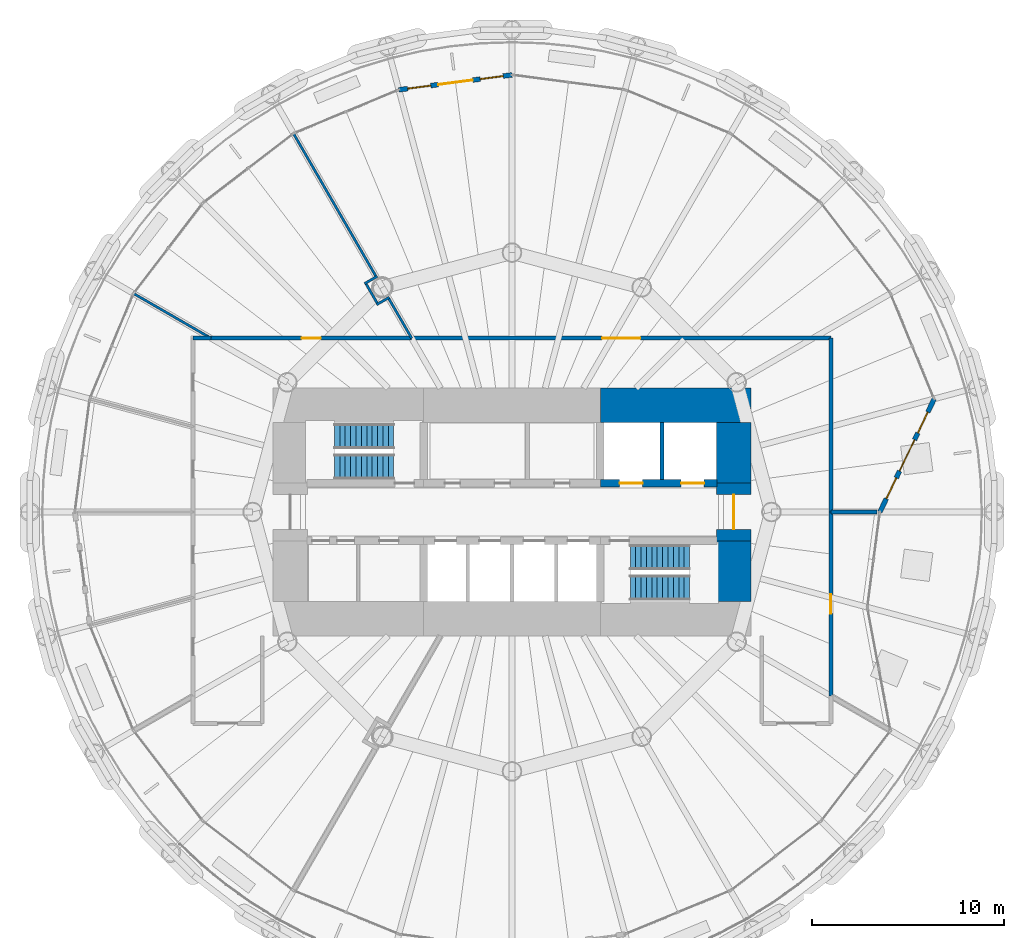
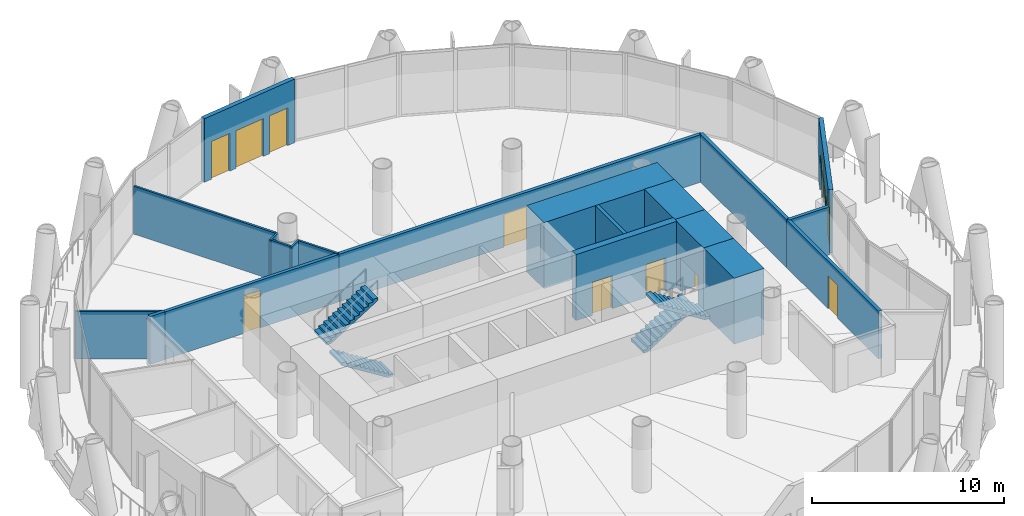
# One storey, part 11 of 15: 20 walls, 8 doors, 4 stair flights, 4 windows, 12 openings, 2 elements without a shape of their own.
"""IFC4 building model written with IfcOpenShell, lengths in metres."""

from ifc_helpers import new_model, si_unit, direction, frame, frame_2d, origin, place, context, subcontext, project, spatial, polyline, rectangle, outline, extrude, material, layer, layer_set, type_object, element, fill, aggregate, save


model = new_model("IFC4")

# Units and contexts
model_context = context("Model", 3, precision=1e-05, world=origin(), true_north=direction((0.0, 1.0)))
body_context = subcontext(model_context, "Body", "Model", "MODEL_VIEW")
ifc_project = project(units=[si_unit("LENGTHUNIT", "METRE"), si_unit("AREAUNIT", "SQUARE_METRE"), si_unit("VOLUMEUNIT", "CUBIC_METRE"), si_unit("PLANEANGLEUNIT", "RADIAN"), si_unit("MASSUNIT", "GRAM", prefix="KILO")], contexts=[model_context])

# Site, building, storey
site_placement = place(None, origin())
site = spatial("IfcSite", under=ifc_project, at=site_placement, CompositionType="ELEMENT")
building_placement = place(site_placement, origin())
building = spatial("IfcBuilding", under=site, at=building_placement, Name="Qaws Media Tower", CompositionType="ELEMENT")
storey_placement = place(building_placement, frame((0.0, 0.0, 122.60009765625)))
storey = spatial("IfcBuildingStorey", under=building, at=storey_placement, Name="L27", CompositionType="ELEMENT", Elevation=122.60009765625)

# Wall, openings, door, windows
ifc_material_1 = material(Name="Precast concrete, exposed finish", Category="concrete")
ifc_layer_1 = layer(ifc_material_1, 0.25)
ifc_layer_set_1 = layer_set([ifc_layer_1], Name="Balcony door wall 250")
wall_type_1 = type_object("IfcWallType", Name="Balcony door wall 250", PredefinedType="SOLIDWALL", material=ifc_layer_set_1)
wall_1_placement = place(storey_placement, frame((79.14990234375, 50.0, 0.0), z_axis=(0.0, 0.0, 1.0), x_axis=(0.432559700363, 0.901605293697, 0.0)))
wall_1 = element("IfcWall", 1, at=wall_1_placement, inside=storey, type_object=wall_type_1, Name="W181 EW1 balcony door wall L27-01", PredefinedType="SOLIDWALL", context=body_context, shape_type="SweptSolid", body=[
    extrude(rectangle(XDim=6.53076171875, YDim=0.25, at=frame_2d((3.265380859375, 0.0))), origin(), (0.0, 0.0, 1.0), 4.039794921875),
])
opening_1_placement = place(wall_1_placement, frame((2.365234375, 0.0, 0.0)))
opening_1 = element("IfcOpeningElement", 2, at=opening_1_placement, cuts=wall_1, Name="Opening D7", PredefinedType="OPENING", context=body_context, shape_type="SweptSolid", body=[
    extrude(rectangle(XDim=1.800048828125, YDim=2.39990234375, at=frame_2d((0.89990234375, 1.199951171875))), frame((0.0, 0.135009765625, 0.0), z_axis=(0.0, -1.0, 0.0), x_axis=(1.0, 0.0, 0.0)), (0.0, 0.0, 1.0), 0.27001953125),
])
opening_2_placement = place(wall_1_placement, frame((0.765380859375, 0.0, 0.0)))
opening_2 = element("IfcOpeningElement", 3, at=opening_2_placement, cuts=wall_1, Name="Opening W1", PredefinedType="OPENING", context=body_context, shape_type="SweptSolid", body=[
    extrude(rectangle(XDim=1.199951171875, YDim=2.39990234375, at=frame_2d((0.60009765625, 1.199951171875))), frame((0.0, 0.135009765625, 0.0), z_axis=(0.0, -1.0, 0.0), x_axis=(1.0, 0.0, 0.0)), (0.0, 0.0, 1.0), 0.27001953125),
])
opening_3_placement = place(wall_1_placement, frame((4.5654296875, 0.0, 0.0)))
opening_3 = element("IfcOpeningElement", 4, at=opening_3_placement, cuts=wall_1, Name="Opening W1", PredefinedType="OPENING", context=body_context, shape_type="SweptSolid", body=[
    extrude(rectangle(XDim=1.199951171875, YDim=2.39990234375, at=frame_2d((0.60009765625, 1.199951171875))), frame((0.0, 0.135009765625, 0.0), z_axis=(0.0, -1.0, 0.0), x_axis=(1.0, 0.0, 0.0)), (0.0, 0.0, 1.0), 0.27001953125),
])
ifc_material_2 = material(Name="Aluminium and clear glass", Category="aluminium")
door_type_1 = type_object("IfcDoorType", Name="Balcony door pair 1800", OperationType="DOUBLE_DOOR_SLIDING", PredefinedType="DOOR", material=ifc_material_2)
door_1_placement = place(opening_1_placement, origin())
door_1 = element("IfcDoor", 5, at=door_1_placement, inside=storey, type_object=door_type_1, Name="D7 balcony door L27-01 in wall W181", OperationType="DOUBLE_DOOR_SLIDING", OverallHeight=2.39990234375, OverallWidth=1.800048828125, PredefinedType="DOOR", context=body_context, shape_type="SweptSolid", body=[
    extrude(rectangle(XDim=1.800048828125, YDim=2.39990234375, at=frame_2d((0.89990234375, 1.199951171875))), frame((0.0, 0.02490234375, 0.0), z_axis=(0.0, -1.0, 0.0), x_axis=(1.0, 0.0, 0.0)), (0.0, 0.0, 1.0), 0.050048828125),
])
fill(opening_1, door_1)
ifc_material_3 = material(Name="Aluminium and clear glass", Category="aluminium")
window_type = type_object("IfcWindowType", Name="Balcony side window 1200", PartitioningType="SINGLE_PANEL", PredefinedType="WINDOW", material=ifc_material_3)
window_1_placement = place(opening_2_placement, origin())
window_1 = element("IfcWindow", 6, at=window_1_placement, inside=storey, type_object=window_type, Name="W1 balcony side light L27-01L", OverallHeight=2.39990234375, OverallWidth=1.199951171875, PartitioningType="SINGLE_PANEL", PredefinedType="WINDOW", context=body_context, shape_type="SweptSolid", body=[
    extrude(rectangle(XDim=1.199951171875, YDim=2.39990234375, at=frame_2d((0.60009765625, 1.199951171875))), frame((0.0, 0.030029296875, 0.0), z_axis=(0.0, -1.0, 0.0), x_axis=(1.0, 0.0, 0.0)), (0.0, 0.0, 1.0), 0.06005859375),
])
fill(opening_2, window_1)
window_2_placement = place(opening_3_placement, origin())
window_2 = element("IfcWindow", 7, at=window_2_placement, inside=storey, type_object=window_type, Name="W1 balcony side light L27-01R", OverallHeight=2.39990234375, OverallWidth=1.199951171875, PartitioningType="SINGLE_PANEL", PredefinedType="WINDOW", context=body_context, shape_type="SweptSolid", body=[
    extrude(rectangle(XDim=1.199951171875, YDim=2.39990234375, at=frame_2d((0.60009765625, 1.199951171875))), frame((0.0, 0.030029296875, 0.0), z_axis=(0.0, -1.0, 0.0), x_axis=(1.0, 0.0, 0.0)), (0.0, 0.0, 1.0), 0.06005859375),
])
fill(opening_3, window_2)

wall_2_placement = place(storey_placement, frame((60.0, 72.75, 0.0), z_axis=(0.0, 0.0, 1.0), x_axis=(-0.991445898364, -0.130518315254, 0.0)))
wall_2 = element("IfcWall", 8, at=wall_2_placement, inside=storey, type_object=wall_type_1, Name="W180 EW1 balcony door wall L27-07", PredefinedType="SOLIDWALL", context=body_context, shape_type="SweptSolid", body=[
    extrude(rectangle(XDim=5.93896484375, YDim=0.25, at=frame_2d((2.969482421875, 0.0))), origin(), (0.0, 0.0, 1.0), 4.039794921875),
])
opening_4_placement = place(wall_2_placement, frame((2.069580078125, 0.0, 0.0)))
opening_4 = element("IfcOpeningElement", 9, at=opening_4_placement, cuts=wall_2, Name="Opening D7", PredefinedType="OPENING", context=body_context, shape_type="SweptSolid", body=[
    extrude(rectangle(XDim=1.800048828125, YDim=2.39990234375, at=frame_2d((0.89990234375, 1.199951171875))), frame((0.0, 0.135009765625, 0.0), z_axis=(0.0, -1.0, 0.0), x_axis=(1.0, 0.0, 0.0)), (0.0, 0.0, 1.0), 0.27001953125),
])
opening_5_placement = place(wall_2_placement, frame((0.469482421875, 0.0, 0.0)))
opening_5 = element("IfcOpeningElement", 10, at=opening_5_placement, cuts=wall_2, Name="Opening W1", PredefinedType="OPENING", context=body_context, shape_type="SweptSolid", body=[
    extrude(rectangle(XDim=1.199951171875, YDim=2.39990234375, at=frame_2d((0.60009765625, 1.199951171875))), frame((0.0, 0.135009765625, 0.0), z_axis=(0.0, -1.0, 0.0), x_axis=(1.0, 0.0, 0.0)), (0.0, 0.0, 1.0), 0.27001953125),
])
opening_6_placement = place(wall_2_placement, frame((4.26953125, 0.0, 0.0)))
opening_6 = element("IfcOpeningElement", 11, at=opening_6_placement, cuts=wall_2, Name="Opening W1", PredefinedType="OPENING", context=body_context, shape_type="SweptSolid", body=[
    extrude(rectangle(XDim=1.199951171875, YDim=2.39990234375, at=frame_2d((0.60009765625, 1.199951171875))), frame((0.0, 0.135009765625, 0.0), z_axis=(0.0, -1.0, 0.0), x_axis=(1.0, 0.0, 0.0)), (0.0, 0.0, 1.0), 0.27001953125),
])
door_2_placement = place(opening_4_placement, origin())
door_2 = element("IfcDoor", 12, at=door_2_placement, inside=storey, type_object=door_type_1, Name="D7 balcony door L27-07 in wall W180", OperationType="DOUBLE_DOOR_SLIDING", OverallHeight=2.39990234375, OverallWidth=1.800048828125, PredefinedType="DOOR", context=body_context, shape_type="SweptSolid", body=[
    extrude(rectangle(XDim=1.800048828125, YDim=2.39990234375, at=frame_2d((0.89990234375, 1.199951171875))), frame((0.0, 0.02490234375, 0.0), z_axis=(0.0, -1.0, 0.0), x_axis=(1.0, 0.0, 0.0)), (0.0, 0.0, 1.0), 0.050048828125),
])
fill(opening_4, door_2)
window_3_placement = place(opening_5_placement, origin())
window_3 = element("IfcWindow", 13, at=window_3_placement, inside=storey, type_object=window_type, Name="W1 balcony side light L27-07L", OverallHeight=2.39990234375, OverallWidth=1.199951171875, PartitioningType="SINGLE_PANEL", PredefinedType="WINDOW", context=body_context, shape_type="SweptSolid", body=[
    extrude(rectangle(XDim=1.199951171875, YDim=2.39990234375, at=frame_2d((0.60009765625, 1.199951171875))), frame((0.0, 0.030029296875, 0.0), z_axis=(0.0, -1.0, 0.0), x_axis=(1.0, 0.0, 0.0)), (0.0, 0.0, 1.0), 0.06005859375),
])
fill(opening_5, window_3)
window_4_placement = place(opening_6_placement, origin())
window_4 = element("IfcWindow", 14, at=window_4_placement, inside=storey, type_object=window_type, Name="W1 balcony side light L27-07R", OverallHeight=2.39990234375, OverallWidth=1.199951171875, PartitioningType="SINGLE_PANEL", PredefinedType="WINDOW", context=body_context, shape_type="SweptSolid", body=[
    extrude(rectangle(XDim=1.199951171875, YDim=2.39990234375, at=frame_2d((0.60009765625, 1.199951171875))), frame((0.0, 0.030029296875, 0.0), z_axis=(0.0, -1.0, 0.0), x_axis=(1.0, 0.0, 0.0)), (0.0, 0.0, 1.0), 0.06005859375),
])
fill(opening_6, window_4)

# Wall, openings, doors
ifc_material_4 = material(Name="Concrete C60/75", Category="concrete")
ifc_layer_2 = layer(ifc_material_4, 0.39990234375)
ifc_layer_set_2 = layer_set([ifc_layer_2], Name="Core inner wall 400")
wall_type_2 = type_object("IfcWallType", Name="Core inner wall 400", PredefinedType="SHEAR", material=ifc_layer_set_2)
wall_3_placement = place(storey_placement, frame((64.60009765625, 51.5, 0.0), z_axis=(0.0, 0.0, 1.0), x_axis=(1.0, 0.0, 0.0)))
wall_3 = element("IfcWall", 15, at=wall_3_placement, inside=storey, type_object=wall_type_2, Name="W326 SW4 core wall SPNE L27", PredefinedType="SHEAR", context=body_context, shape_type="SweptSolid", body=[
    extrude(rectangle(XDim=6.06982421875, YDim=0.39990234375, at=frame_2d((3.034912109375, 0.0))), origin(), (0.0, 0.0, 1.0), 4.199951171875),
])
opening_7_placement = place(wall_3_placement, frame((1.0, 0.0, 0.0)))
opening_7 = element("IfcOpeningElement", 16, at=opening_7_placement, cuts=wall_3, Name="Opening LD2", PredefinedType="OPENING", context=body_context, shape_type="SweptSolid", body=[
    extrude(rectangle(XDim=1.199951171875, YDim=2.10009765625, at=frame_2d((0.60009765625, 1.050048828125))), frame((0.0, 0.2099609375, 0.0), z_axis=(0.0, -1.0, 0.0), x_axis=(1.0, 0.0, 0.0)), (0.0, 0.0, 1.0), 0.419921875),
])
opening_8_placement = place(wall_3_placement, frame((4.199951171875, 0.0, 0.0)))
opening_8 = element("IfcOpeningElement", 17, at=opening_8_placement, cuts=wall_3, Name="Opening LD2", PredefinedType="OPENING", context=body_context, shape_type="SweptSolid", body=[
    extrude(rectangle(XDim=1.199951171875, YDim=2.10009765625, at=frame_2d((0.60009765625, 1.050048828125))), frame((0.0, 0.2099609375, 0.0), z_axis=(0.0, -1.0, 0.0), x_axis=(1.0, 0.0, 0.0)), (0.0, 0.0, 1.0), 0.419921875),
])
ifc_material_5 = material(Name="Steel, fire rated", Category="steel")
door_type_2 = type_object("IfcDoorType", Name="Lift landing door 1200", OperationType="SLIDING_TO_LEFT", PredefinedType="DOOR", material=ifc_material_5)
door_3_placement = place(opening_7_placement, origin())
door_3 = element("IfcDoor", 18, at=door_3_placement, inside=storey, type_object=door_type_2, Name="FL1 landing door L27 in wall W326", OperationType="SLIDING_TO_LEFT", OverallHeight=2.10009765625, OverallWidth=1.199951171875, PredefinedType="DOOR", context=body_context, shape_type="SweptSolid", body=[
    extrude(rectangle(XDim=1.199951171875, YDim=2.10009765625, at=frame_2d((0.60009765625, 1.050048828125))), frame((0.0, 0.02490234375, 0.0), z_axis=(0.0, -1.0, 0.0), x_axis=(1.0, 0.0, 0.0)), (0.0, 0.0, 1.0), 0.050048828125),
])
fill(opening_7, door_3)
door_4_placement = place(opening_8_placement, origin())
door_4 = element("IfcDoor", 19, at=door_4_placement, inside=storey, type_object=door_type_2, Name="FL2 landing door L27 in wall W326", OperationType="SLIDING_TO_LEFT", OverallHeight=2.10009765625, OverallWidth=1.199951171875, PredefinedType="DOOR", context=body_context, shape_type="SweptSolid", body=[
    extrude(rectangle(XDim=1.199951171875, YDim=2.10009765625, at=frame_2d((0.60009765625, 1.050048828125))), frame((0.0, 0.02490234375, 0.0), z_axis=(0.0, -1.0, 0.0), x_axis=(1.0, 0.0, 0.0)), (0.0, 0.0, 1.0), 0.050048828125),
])
fill(opening_8, door_4)

# Walls
ifc_material_6 = material(Name="Concrete C60/75", Category="concrete")
ifc_layer_3 = layer(ifc_material_6, 1.800048828125)
ifc_layer_set_3 = layer_set([ifc_layer_3], Name="Core wall 1800")
wall_type_3 = type_object("IfcWallType", Name="Core wall 1800", PredefinedType="SHEAR", material=ifc_layer_set_3)
wall_4_placement = place(storey_placement, frame((64.60009765625, 55.550048828125, 0.0), z_axis=(0.0, 0.0, 1.0), x_axis=(1.0, 0.0, 0.0)))
element("IfcWall", 20, at=wall_4_placement, inside=storey, type_object=wall_type_3, Name="W423 SW11 core wall NE L27", PredefinedType="SHEAR", context=body_context, shape_type="SweptSolid", body=[
    extrude(rectangle(XDim=7.849853515625, YDim=1.800048828125, at=frame_2d((3.9248046875, 0.0))), origin(), (0.0, 0.0, 1.0), 4.199951171875),
])
wall_5_placement = place(storey_placement, frame((71.550048828125, 45.330078125, 0.0), z_axis=(0.0, 0.0, 1.0), x_axis=(0.0, 1.0, 0.0)))
element("IfcWall", 21, at=wall_5_placement, inside=storey, type_object=wall_type_3, Name="W424 SW11 core wall ES L27", PredefinedType="SHEAR", context=body_context, shape_type="SweptSolid", body=[
    extrude(rectangle(XDim=3.169921875, YDim=1.800048828125, at=frame_2d((1.5849609375, 0.0))), origin(), (0.0, 0.0, 1.0), 4.199951171875),
])

# Wall, opening, door
wall_6_placement = place(storey_placement, frame((71.550048828125, 48.5, 0.0), z_axis=(0.0, 0.0, 1.0), x_axis=(0.0, 1.0, 0.0)))
wall_6 = element("IfcWall", 22, at=wall_6_placement, inside=storey, type_object=wall_type_3, Name="W427 SW11 core wall E L27", PredefinedType="SHEAR", context=body_context, shape_type="SweptSolid", body=[
    extrude(rectangle(XDim=3.0, YDim=1.800048828125, at=frame_2d((1.5, 0.0))), origin(), (0.0, 0.0, 1.0), 4.199951171875),
])
opening_9_placement = place(wall_6_placement, frame((0.60009765625, 0.0, 0.0)))
opening_9 = element("IfcOpeningElement", 23, at=opening_9_placement, cuts=wall_6, Name="Opening D2", PredefinedType="OPENING", context=body_context, shape_type="SweptSolid", body=[
    extrude(rectangle(XDim=1.800048828125, YDim=2.10009765625, at=frame_2d((0.89990234375, 1.050048828125))), frame((0.0, 0.909912109375, 0.0), z_axis=(0.0, -1.0, 0.0), x_axis=(1.0, 0.0, 0.0)), (0.0, 0.0, 1.0), 1.820068359375),
])
ifc_material_7 = material(Name="Steel and glass, fire rated", Category="steel")
door_type_3 = type_object("IfcDoorType", Name="Lobby door pair 1800 FD60", OperationType="DOUBLE_DOOR_DOUBLE_SWING", PredefinedType="DOOR", material=ifc_material_7)
door_5_placement = place(opening_9_placement, origin())
door_5 = element("IfcDoor", 24, at=door_5_placement, inside=storey, type_object=door_type_3, Name="D2 core lobby door E L27 in wall W427", OperationType="DOUBLE_DOOR_DOUBLE_SWING", OverallHeight=2.10009765625, OverallWidth=1.800048828125, PredefinedType="DOOR", context=body_context, shape_type="SweptSolid", body=[
    extrude(rectangle(XDim=1.800048828125, YDim=2.10009765625, at=frame_2d((0.89990234375, 1.050048828125))), frame((0.0, 0.02490234375, 0.0), z_axis=(0.0, -1.0, 0.0), x_axis=(1.0, 0.0, 0.0)), (0.0, 0.0, 1.0), 0.050048828125),
])
fill(opening_9, door_5)

# Walls
wall_7_placement = place(storey_placement, frame((71.550048828125, 51.5, 0.0), z_axis=(0.0, 0.0, 1.0), x_axis=(0.0, 1.0, 0.0)))
element("IfcWall", 25, at=wall_7_placement, inside=storey, type_object=wall_type_3, Name="W425 SW11 core wall EN L27", PredefinedType="SHEAR", context=body_context, shape_type="SweptSolid", body=[
    extrude(rectangle(XDim=3.169921875, YDim=1.800048828125, at=frame_2d((1.5849609375, 0.0))), origin(), (0.0, 0.0, 1.0), 4.199951171875),
])
ifc_material_8 = material(Name="Two layers gypsum board each side on 75 studs, insulated", Category="gypsum")
ifc_layer_4 = layer(ifc_material_8, 0.125)
ifc_layer_set_4 = layer_set([ifc_layer_4], Name="Meeting room partition 125 Rw 48")
wall_type_4 = type_object("IfcWallType", Name="Meeting room partition 125 Rw 48", PredefinedType="PARTITIONING", material=ifc_layer_set_4)
for number, where, z_axis, x_axis, name in (
    (26, (53.619384765625, 61.176513671875, 0.0), (0.0, 0.0, 1.0), (-0.866036909293, -0.499980071345, 0.0), "W544 IW5 partition return L27"),
    (27, (52.989013671875, 62.2685546875, 0.0), (0.0, 0.0, 1.0), (-0.866174967129, -0.499740859165, 0.0), "W543 IW5 partition return L27"),
):
    element("IfcWall", number, at=place(storey_placement, frame(where, z_axis=z_axis, x_axis=x_axis)), inside=storey, type_object=wall_type_4, Name=name, PredefinedType="PARTITIONING", context=body_context, shape_type="SweptSolid", body=[
        extrude(rectangle(XDim=0.765625, YDim=0.125, at=frame_2d((0.3828125, 0.0))), origin(), (0.0, 0.0, 1.0), 3.02001953125),
    ])
wall_8_placement = place(storey_placement, frame((52.979248046875, 60.879150390625, 0.0), z_axis=(0.0, 0.0, 1.0), x_axis=(-0.499883687939, 0.866092546171, 0.0)))
element("IfcWall", 28, at=wall_8_placement, inside=storey, type_object=wall_type_4, Name="W542 IW5 partition return L27", PredefinedType="PARTITIONING", context=body_context, shape_type="SweptSolid", body=[
    extrude(rectangle(XDim=1.135986328125, YDim=0.125, at=frame_2d((0.56787109375, 0.0))), origin(), (0.0, 0.0, 1.0), 3.02001953125),
])
wall_9_placement = place(storey_placement, frame((54.780029296875, 59.041259765625, 0.0), z_axis=(0.0, 0.0, 1.0), x_axis=(-0.499999210213, 0.866025859768, 0.0)))
element("IfcWall", 29, at=wall_9_placement, inside=storey, type_object=wall_type_4, Name="W545 IW5 partition L27", PredefinedType="PARTITIONING", context=body_context, shape_type="SweptSolid", body=[
    extrude(rectangle(XDim=2.3671875, YDim=0.125, at=frame_2d((1.18359375, 0.0))), origin(), (0.0, 0.0, 1.0), 3.039794921875),
])
wall_10_placement = place(storey_placement, frame((52.903564453125, 62.29150390625, 0.0), z_axis=(0.0, 0.0, 1.0), x_axis=(-0.500002013721, 0.866024241159, 0.0)))
element("IfcWall", 30, at=wall_10_placement, inside=storey, type_object=wall_type_4, Name="W541 IW5 partition L27", PredefinedType="PARTITIONING", context=body_context, shape_type="SweptSolid", body=[
    extrude(rectangle(XDim=8.51708984375, YDim=0.125, at=frame_2d((4.258544921875, 0.0))), origin(), (0.0, 0.0, 1.0), 3.039794921875),
])
wall_11_placement = place(storey_placement, frame((44.324951171875, 59.050048828125, 0.0), z_axis=(0.0, 0.0, 1.0), x_axis=(-0.866034781647, 0.499983756713, 0.0)))
element("IfcWall", 31, at=wall_11_placement, inside=storey, type_object=wall_type_4, Name="W540 IW5 partition L27", PredefinedType="PARTITIONING", context=body_context, shape_type="SweptSolid", body=[
    extrude(rectangle(XDim=4.610107421875, YDim=0.125, at=frame_2d((2.30517578125, 0.0))), origin(), (0.0, 0.0, 1.0), 3.039794921875),
])
ifc_material_9 = material(Name="Gypsum board on galvanised metal studs, acoustic double stud, deflection head", Category="gypsum")
ifc_layer_5 = layer(ifc_material_9, 0.199951171875)
ifc_layer_set_5 = layer_set([ifc_layer_5], Name="Room partition 200")
wall_type_5 = type_object("IfcWallType", Name="Room partition 200", PredefinedType="PARTITIONING", material=ifc_layer_set_5)
wall_12_placement = place(storey_placement, frame((43.39990234375, 59.050048828125, 0.0), z_axis=(0.0, 0.0, 1.0), x_axis=(1.0, 0.0, 0.0)))
element("IfcWall", 32, at=wall_12_placement, inside=storey, type_object=wall_type_5, Name="W1250 IW3 partition L27", PredefinedType="PARTITIONING", context=body_context, shape_type="SweptSolid", body=[
    extrude(rectangle(XDim=0.925048828125, YDim=0.199951171875, at=frame_2d((0.46240234375, 0.0))), origin(), (0.0, 0.0, 1.0), 3.039794921875),
])

# Wall, opening, door
wall_13_placement = place(storey_placement, frame((44.324951171875, 59.050048828125, 0.0), z_axis=(0.0, 0.0, 1.0), x_axis=(1.0, 0.0, 0.0)))
wall_13 = element("IfcWall", 33, at=wall_13_placement, inside=storey, type_object=wall_type_5, Name="W1252 IW3 partition L27", PredefinedType="PARTITIONING", context=body_context, shape_type="SweptSolid", body=[
    extrude(rectangle(XDim=10.449951171875, YDim=0.199951171875, at=frame_2d((5.22509765625, 0.0))), origin(), (0.0, 0.0, 1.0), 3.02001953125),
])
opening_10_placement = place(wall_13_placement, frame((4.72509765625, 0.0, 0.0)))
opening_10 = element("IfcOpeningElement", 34, at=opening_10_placement, cuts=wall_13, Name="Opening D13", PredefinedType="OPENING", context=body_context, shape_type="SweptSolid", body=[
    extrude(rectangle(XDim=1.0, YDim=2.39990234375, at=frame_2d((0.5, 1.199951171875))), frame((0.0, 0.10986328125, 0.0), z_axis=(0.0, -1.0, 0.0), x_axis=(1.0, 0.0, 0.0)), (0.0, 0.0, 1.0), 0.219970703125),
])
ifc_material_10 = material(Name="Frameless toughened glass, acoustic seals", Category="glass")
door_type_4 = type_object("IfcDoorType", Name="Glazed meeting room door 1000x2400", OperationType="SINGLE_SWING_LEFT", PredefinedType="DOOR", material=ifc_material_10)
door_6_placement = place(opening_10_placement, origin())
door_6 = element("IfcDoor", 35, at=door_6_placement, inside=storey, type_object=door_type_4, Name="D13 Meeting room door L27 in wall W1252", OperationType="SINGLE_SWING_LEFT", OverallHeight=2.39990234375, OverallWidth=1.0, PredefinedType="DOOR", context=body_context, shape_type="SweptSolid", body=[
    extrude(rectangle(XDim=1.0, YDim=2.39990234375, at=frame_2d((0.5, 1.199951171875))), frame((0.0, 0.02490234375, 0.0), z_axis=(0.0, -1.0, 0.0), x_axis=(1.0, 0.0, 0.0)), (0.0, 0.0, 1.0), 0.050048828125),
])
fill(opening_10, door_6)

wall_14_placement = place(storey_placement, frame((54.77490234375, 59.050048828125, 0.0), z_axis=(0.0, 0.0, 1.0), x_axis=(1.0, 0.0, 0.0)))
wall_14 = element("IfcWall", 36, at=wall_14_placement, inside=storey, type_object=wall_type_5, Name="W1258 IW3 partition L27", PredefinedType="PARTITIONING", context=body_context, shape_type="SweptSolid", body=[
    extrude(rectangle(XDim=21.8251953125, YDim=0.199951171875, at=frame_2d((10.91259765625, 0.0))), origin(), (0.0, 0.0, 1.0), 3.02001953125),
])
opening_11_placement = place(wall_14_placement, frame((9.91259765625, 0.0, 0.0)))
opening_11 = element("IfcOpeningElement", 37, at=opening_11_placement, cuts=wall_14, Name="Opening D6", PredefinedType="OPENING", context=body_context, shape_type="SweptSolid", body=[
    extrude(rectangle(XDim=2.0, YDim=2.10009765625, at=frame_2d((1.0, 1.050048828125))), frame((0.0, 0.10986328125, 0.0), z_axis=(0.0, -1.0, 0.0), x_axis=(1.0, 0.0, 0.0)), (0.0, 0.0, 1.0), 0.219970703125),
])
ifc_material_11 = material(Name="Steel, acoustic, fire rated", Category="steel")
door_type_5 = type_object("IfcDoorType", Name="Room door pair 2000", OperationType="DOUBLE_DOOR_DOUBLE_SWING", PredefinedType="DOOR", material=ifc_material_11)
door_7_placement = place(opening_11_placement, origin())
door_7 = element("IfcDoor", 38, at=door_7_placement, inside=storey, type_object=door_type_5, Name="D6 Finance office door L27 in wall W1258", OperationType="DOUBLE_DOOR_DOUBLE_SWING", OverallHeight=2.10009765625, OverallWidth=2.0, PredefinedType="DOOR", context=body_context, shape_type="SweptSolid", body=[
    extrude(rectangle(XDim=2.0, YDim=2.10009765625, at=frame_2d((1.0, 1.050048828125))), frame((0.0, 0.02490234375, 0.0), z_axis=(0.0, -1.0, 0.0), x_axis=(1.0, 0.0, 0.0)), (0.0, 0.0, 1.0), 0.050048828125),
])
fill(opening_11, door_7)

# Wall
wall_15_placement = place(storey_placement, frame((76.60009765625, 59.050048828125, 0.0), z_axis=(0.0, 0.0, 1.0), x_axis=(0.0, -1.0, 0.0)))
element("IfcWall", 39, at=wall_15_placement, inside=storey, type_object=wall_type_5, Name="W1266 IW3 partition L27", PredefinedType="PARTITIONING", context=body_context, shape_type="SweptSolid", body=[
    extrude(rectangle(XDim=9.050048828125, YDim=0.199951171875, at=frame_2d((4.52490234375, 0.0))), origin(), (0.0, 0.0, 1.0), 3.039794921875),
])

# Wall, opening, door
wall_16_placement = place(storey_placement, frame((76.60009765625, 50.0, 0.0), z_axis=(0.0, 0.0, 1.0), x_axis=(0.0, -1.0, 0.0)))
wall_16 = element("IfcWall", 40, at=wall_16_placement, inside=storey, type_object=wall_type_5, Name="W1264 IW3 partition L27", PredefinedType="PARTITIONING", context=body_context, shape_type="SweptSolid", body=[
    extrude(rectangle(XDim=9.583984375, YDim=0.199951171875, at=frame_2d((4.7919921875, 0.0))), origin(), (0.0, 0.0, 1.0), 3.039794921875),
])
opening_12_placement = place(wall_16_placement, frame((4.2919921875, 0.0, 0.0)))
opening_12 = element("IfcOpeningElement", 41, at=opening_12_placement, cuts=wall_16, Name="Opening D5", PredefinedType="OPENING", context=body_context, shape_type="SweptSolid", body=[
    extrude(rectangle(XDim=1.0, YDim=2.10009765625, at=frame_2d((0.5, 1.050048828125))), frame((0.0, 0.10986328125, 0.0), z_axis=(0.0, -1.0, 0.0), x_axis=(1.0, 0.0, 0.0)), (0.0, 0.0, 1.0), 0.219970703125),
])
ifc_material_12 = material(Name="Timber veneered, acoustic seal", Category="wood")
door_type_6 = type_object("IfcDoorType", Name="Room door 1000", OperationType="SINGLE_SWING_LEFT", PredefinedType="DOOR", material=ifc_material_12)
door_8_placement = place(opening_12_placement, origin())
door_8 = element("IfcDoor", 42, at=door_8_placement, inside=storey, type_object=door_type_6, Name="D5 Finance office door L27 in wall W1264", OperationType="SINGLE_SWING_LEFT", OverallHeight=2.10009765625, OverallWidth=1.0, PredefinedType="DOOR", context=body_context, shape_type="SweptSolid", body=[
    extrude(rectangle(XDim=1.0, YDim=2.10009765625, at=frame_2d((0.5, 1.050048828125))), frame((0.0, 0.02490234375, 0.0), z_axis=(0.0, -1.0, 0.0), x_axis=(1.0, 0.0, 0.0)), (0.0, 0.0, 1.0), 0.050048828125),
])
fill(opening_12, door_8)

# Walls
wall_17_placement = place(storey_placement, frame((76.60009765625, 50.0, 0.0), z_axis=(0.0, 0.0, 1.0), x_axis=(1.0, 0.0, 0.0)))
element("IfcWall", 43, at=wall_17_placement, inside=storey, type_object=wall_type_5, Name="W1265 IW3 partition L27", PredefinedType="PARTITIONING", context=body_context, shape_type="SweptSolid", body=[
    extrude(rectangle(XDim=2.409912109375, YDim=0.199951171875, at=frame_2d((1.205078125, 0.0))), origin(), (0.0, 0.0, 1.0), 3.039794921875),
])
ifc_material_13 = material(Name="Fire-rated gypsum board shaft wall on galvanised metal studs, deflection head", Category="gypsum")
ifc_layer_6 = layer(ifc_material_13, 0.199951171875)
ifc_layer_set_6 = layer_set([ifc_layer_6], Name="Shaft wall 200")
wall_type_6 = type_object("IfcWallType", Name="Shaft wall 200", PredefinedType="PARTITIONING", material=ifc_layer_set_6)
wall_18_placement = place(storey_placement, frame((67.800048828125, 51.699951171875, 0.0), z_axis=(0.0, 0.0, 1.0), x_axis=(0.0, 1.0, 0.0)))
element("IfcWall", 44, at=wall_18_placement, inside=storey, type_object=wall_type_6, Name="W1863 IW1 shaft wall FL L27", PredefinedType="PARTITIONING", context=body_context, shape_type="SweptSolid", body=[
    extrude(rectangle(XDim=2.949951171875, YDim=0.199951171875, at=frame_2d((1.47509765625, 0.0))), origin(), (0.0, 0.0, 1.0), 4.199951171875),
])

# Stair, stair flights
ifc_material_14 = material(Name="Concrete C40/50", Category="concrete")
stair_type = type_object("IfcStairType", Name="Exit stair", PredefinedType="HALF_TURN_STAIR", material=ifc_material_14)
stair_1_placement = place(storey_placement, origin())
stair_1 = element("IfcStair", 45, at=stair_1_placement, inside=storey, type_object=stair_type, Name="S1 exit stair L27", PredefinedType="HALF_TURN_STAIR")
ifc_material_15 = material(Name="Concrete C40/50", Category="concrete")
stair_flight_type = type_object("IfcStairFlightType", Name="Stair flight 1310", PredefinedType="STRAIGHT", material=ifc_material_15)
stair_flight_1_placement = place(storey_placement, frame((53.840087890625, 52.35498046875, 0.0), z_axis=(0.0, 0.0, 1.0), x_axis=(-1.0, 0.0, 0.0)))
stair_flight_1 = element("IfcStairFlight", 46, at=stair_flight_1_placement, type_object=stair_flight_type, Name="S1 flight 1", NumberOfRisers=12, NumberOfTreads=11, PredefinedType="STRAIGHT", RiserHeight=0.175, TreadLength=0.28, context=body_context, shape_type="SweptSolid", body=[
    extrude(outline(polyline([(0.0, 0.0), (0.0, 0.175048828125), (0.280029296875, 0.175048828125), (0.280029296875, 0.35009765625), (0.56005859375, 0.35009765625), (0.56005859375, 0.52490234375), (0.840087890625, 0.52490234375), (0.840087890625, 0.699951171875), (1.1201171875, 0.699951171875), (1.1201171875, 0.875), (1.39990234375, 0.875), (1.39990234375, 1.050048828125), (1.679931640625, 1.050048828125), (1.679931640625, 1.22509765625), (1.9599609375, 1.22509765625), (1.9599609375, 1.39990234375), (2.239990234375, 1.39990234375), (2.239990234375, 1.574951171875), (2.52001953125, 1.574951171875), (2.52001953125, 1.75), (2.800048828125, 1.75), (2.800048828125, 1.925048828125), (3.080078125, 1.925048828125), (3.080078125, 2.10009765625), (3.080078125, 1.748291015625), (0.28271484375, 0.0), (0.0, 0.0)])), frame((0.0, 0.655029296875, 0.0), z_axis=(0.0, -1.0, 0.0), x_axis=(1.0, 0.0, 0.0)), (0.0, 0.0, 1.0), 1.31005859375),
])
stair_flight_2_placement = place(storey_placement, frame((50.760009765625, 53.945068359375, 2.099853515625), z_axis=(0.0, 0.0, 1.0), x_axis=(1.0, 0.0, 0.0)))
stair_flight_2 = element("IfcStairFlight", 47, at=stair_flight_2_placement, type_object=stair_flight_type, Name="S1 flight 2", NumberOfRisers=12, NumberOfTreads=11, PredefinedType="STRAIGHT", RiserHeight=0.175, TreadLength=0.28, context=body_context, shape_type="SweptSolid", body=[
    extrude(outline(polyline([(0.0, 0.0), (0.0, 0.175048828125), (0.280029296875, 0.175048828125), (0.280029296875, 0.35009765625), (0.56005859375, 0.35009765625), (0.56005859375, 0.52490234375), (0.840087890625, 0.52490234375), (0.840087890625, 0.699951171875), (1.1201171875, 0.699951171875), (1.1201171875, 0.875), (1.39990234375, 0.875), (1.39990234375, 1.050048828125), (1.679931640625, 1.050048828125), (1.679931640625, 1.22509765625), (1.9599609375, 1.22509765625), (1.9599609375, 1.39990234375), (2.239990234375, 1.39990234375), (2.239990234375, 1.574951171875), (2.52001953125, 1.574951171875), (2.52001953125, 1.75), (2.800048828125, 1.75), (2.800048828125, 1.925048828125), (3.080078125, 1.925048828125), (3.080078125, 2.10009765625), (3.080078125, 1.748291015625), (0.28271484375, 0.0), (0.0, 0.0)])), frame((0.0, 0.655029296875, 0.0), z_axis=(0.0, -1.0, 0.0), x_axis=(1.0, 0.0, 0.0)), (0.0, 0.0, 1.0), 1.31005859375),
])
aggregate(stair_1, [stair_flight_1, stair_flight_2])

stair_2_placement = place(storey_placement, origin())
stair_2 = element("IfcStair", 48, at=stair_2_placement, inside=storey, type_object=stair_type, Name="S2 exit stair L27", PredefinedType="HALF_TURN_STAIR")
stair_flight_3_placement = place(storey_placement, frame((66.159912109375, 47.64501953125, 0.0), z_axis=(0.0, 0.0, 1.0), x_axis=(1.0, 0.0, 0.0)))
stair_flight_3 = element("IfcStairFlight", 49, at=stair_flight_3_placement, type_object=stair_flight_type, Name="S2 flight 1", NumberOfRisers=12, NumberOfTreads=11, PredefinedType="STRAIGHT", RiserHeight=0.175, TreadLength=0.28, context=body_context, shape_type="SweptSolid", body=[
    extrude(outline(polyline([(0.0, 0.0), (0.0, 0.175048828125), (0.280029296875, 0.175048828125), (0.280029296875, 0.35009765625), (0.56005859375, 0.35009765625), (0.56005859375, 0.52490234375), (0.840087890625, 0.52490234375), (0.840087890625, 0.699951171875), (1.1201171875, 0.699951171875), (1.1201171875, 0.875), (1.39990234375, 0.875), (1.39990234375, 1.050048828125), (1.679931640625, 1.050048828125), (1.679931640625, 1.22509765625), (1.9599609375, 1.22509765625), (1.9599609375, 1.39990234375), (2.239990234375, 1.39990234375), (2.239990234375, 1.574951171875), (2.52001953125, 1.574951171875), (2.52001953125, 1.75), (2.800048828125, 1.75), (2.800048828125, 1.925048828125), (3.080078125, 1.925048828125), (3.080078125, 2.10009765625), (3.080078125, 1.748291015625), (0.28271484375, 0.0), (0.0, 0.0)])), frame((0.0, 0.655029296875, 0.0), z_axis=(0.0, -1.0, 0.0), x_axis=(1.0, 0.0, 0.0)), (0.0, 0.0, 1.0), 1.31005859375),
])
stair_flight_4_placement = place(storey_placement, frame((69.239990234375, 46.054931640625, 2.099853515625), z_axis=(0.0, 0.0, 1.0), x_axis=(-1.0, 0.0, 0.0)))
stair_flight_4 = element("IfcStairFlight", 50, at=stair_flight_4_placement, type_object=stair_flight_type, Name="S2 flight 2", NumberOfRisers=12, NumberOfTreads=11, PredefinedType="STRAIGHT", RiserHeight=0.175, TreadLength=0.28, context=body_context, shape_type="SweptSolid", body=[
    extrude(outline(polyline([(0.0, 0.0), (0.0, 0.175048828125), (0.280029296875, 0.175048828125), (0.280029296875, 0.35009765625), (0.56005859375, 0.35009765625), (0.56005859375, 0.52490234375), (0.840087890625, 0.52490234375), (0.840087890625, 0.699951171875), (1.1201171875, 0.699951171875), (1.1201171875, 0.875), (1.39990234375, 0.875), (1.39990234375, 1.050048828125), (1.679931640625, 1.050048828125), (1.679931640625, 1.22509765625), (1.9599609375, 1.22509765625), (1.9599609375, 1.39990234375), (2.239990234375, 1.39990234375), (2.239990234375, 1.574951171875), (2.52001953125, 1.574951171875), (2.52001953125, 1.75), (2.800048828125, 1.75), (2.800048828125, 1.925048828125), (3.080078125, 1.925048828125), (3.080078125, 2.10009765625), (3.080078125, 1.748291015625), (0.28271484375, 0.0), (0.0, 0.0)])), frame((0.0, 0.655029296875, 0.0), z_axis=(0.0, -1.0, 0.0), x_axis=(1.0, 0.0, 0.0)), (0.0, 0.0, 1.0), 1.31005859375),
])
aggregate(stair_2, [stair_flight_3, stair_flight_4])

save(model, "model.ifc")
